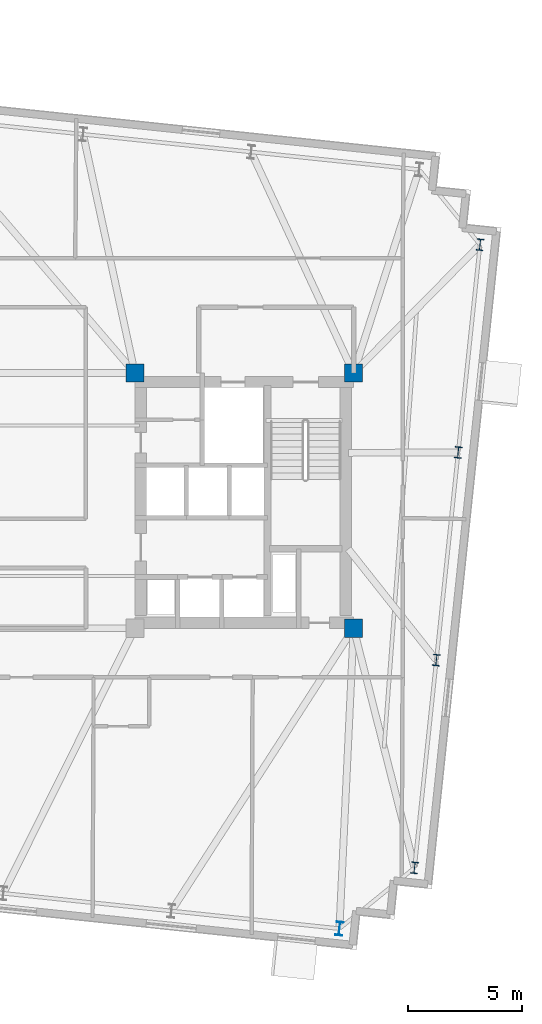
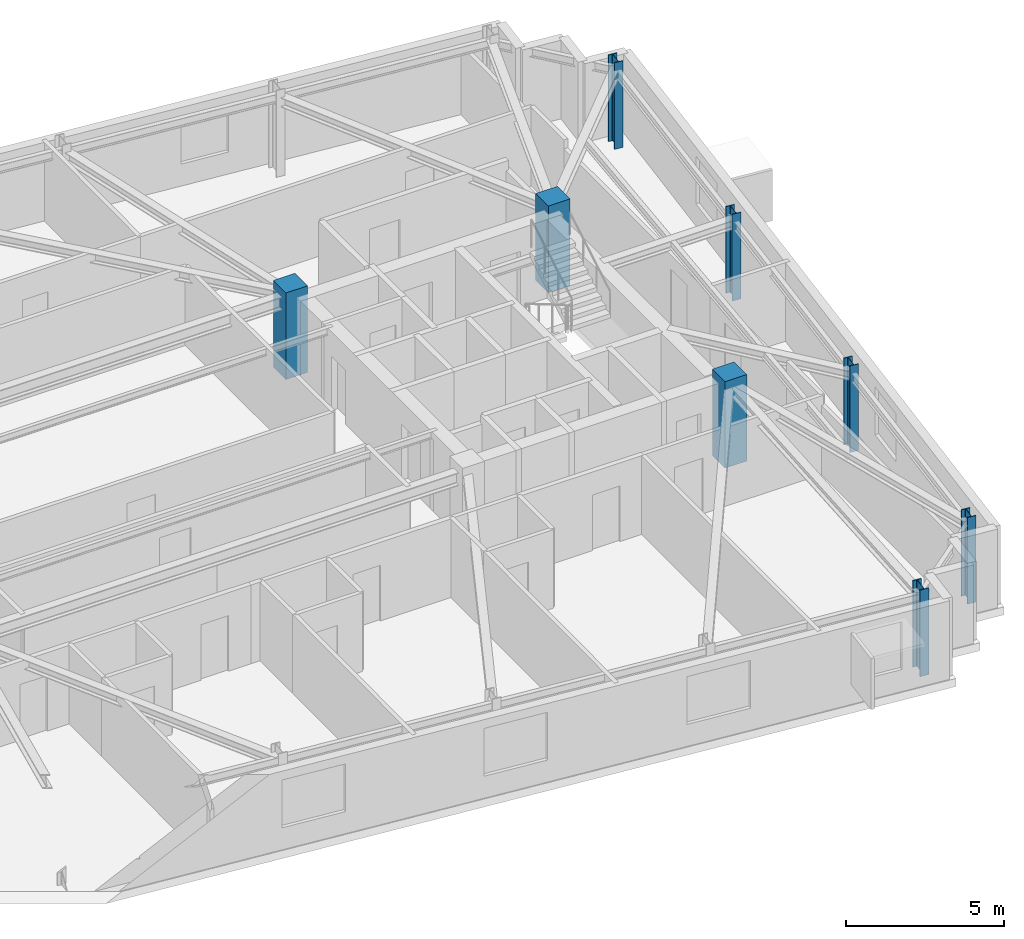
# One storey, part 2 of 11: 8 columns.
"""IFC4 building model written with IfcOpenShell, lengths in metres."""

from ifc_helpers import new_model, si_unit, direction, frame, origin, origin_2d, place, context, subcontext, project, spatial, rectangle, i_section, extrude, material, material_profile, profile_set, type_object, element, save


model = new_model("IFC4")

# Units and contexts
model_context = context("Model", 3, precision=1e-05, world=origin(), true_north=direction((0.0, 1.0)))
body_context = subcontext(model_context, "Body", "Model", "MODEL_VIEW")
ifc_project = project(units=[si_unit("LENGTHUNIT", "METRE"), si_unit("AREAUNIT", "SQUARE_METRE"), si_unit("VOLUMEUNIT", "CUBIC_METRE"), si_unit("PLANEANGLEUNIT", "RADIAN"), si_unit("MASSUNIT", "GRAM", prefix="KILO")], contexts=[model_context])

# Site, building, storey
site_placement = place(None, origin())
site = spatial("IfcSite", under=ifc_project, at=site_placement, CompositionType="ELEMENT")
building_placement = place(site_placement, origin())
building = spatial("IfcBuilding", under=site, at=building_placement, Name="Qobustan Lattice House", CompositionType="ELEMENT")
storey_placement = place(building_placement, frame((0.0, 0.0, 213.14990234375)))
storey = spatial("IfcBuildingStorey", under=building, at=storey_placement, Name="L60", CompositionType="ELEMENT", Elevation=213.14990234375)

# Columns
ifc_material_1 = material(Name="Concrete C50/60", Category="concrete")
ifc_material_profile_1 = material_profile(ifc_material_1, rectangle(XDim=0.800048828125, YDim=0.800048828125, at=origin_2d()), Name="RC800x800")
ifc_profile_set_1 = profile_set([ifc_material_profile_1], Name="Concrete C50/60")
column_type_1 = type_object("IfcColumnType", Name="COL-RC-800", PredefinedType="COLUMN", material=ifc_profile_set_1)
for number, where, z_axis, x_axis, name in (
    (1, (9.199951171875, 5.60009765625, 0.0), (0.0, 0.0, 1.0), (1.0, 0.0, 0.0), "L60 core mega-column CE-NW"),
    (2, (18.800048828125, -5.60009765625, 0.0), (0.0, 0.0, 1.0), (1.0, 0.0, 0.0), "L60 core mega-column CE-SE"),
    (3, (18.800048828125, 5.60009765625, 0.0), (0.0, 0.0, 1.0), (1.0, 0.0, 0.0), "L60 core mega-column CE-NE"),
):
    element("IfcColumn", number, at=place(storey_placement, frame(where, z_axis=z_axis, x_axis=x_axis)), inside=storey, type_object=column_type_1, Name=name, PredefinedType="COLUMN", context=body_context, shape_type="SweptSolid", body=[
        extrude(rectangle(XDim=0.800048828125, YDim=0.800048828125, at=origin_2d()), origin(), (0.0, 0.0, 1.0), 3.35009765625),
    ])
ifc_material_2 = material(Name="Steel S355", Category="steel")
ifc_material_profile_2 = material_profile(ifc_material_2, i_section(OverallWidth=0.300048828125, OverallDepth=0.5, WebThickness=0.014404296875, FlangeThickness=0.028076171875, FilletRadius=0.027099609375, at=origin_2d()), Name="HEB500")
ifc_profile_set_2 = profile_set([ifc_material_profile_2], Name="Steel S355")
column_type_2 = type_object("IfcColumnType", Name="COL-ST-HEB500", PredefinedType="COLUMN", material=ifc_profile_set_2)
for number, where, z_axis, x_axis, name in (
    (4, (21.474365234375, -16.114013671875, 0.0), (0.0, 0.0, 1.0), (0.994521895368, -0.104528463268, 0.0), "L60 B4 perimeter column E1"),
    (5, (22.4326171875, -6.99755859375, 0.0), (0.0, 0.0, 1.0), (0.994521895368, -0.104528463268, 0.0), "L60 B4 perimeter column E2"),
    (6, (23.390869140625, 2.118896484375, 0.0), (0.0, 0.0, 1.0), (0.994521895368, -0.104528463268, 0.0), "L60 B4 perimeter column E3"),
    (7, (24.348876953125, 11.2353515625, 0.0), (0.0, 0.0, 1.0), (0.994521895368, -0.104528463268, 0.0), "L60 B4 perimeter column E4"),
):
    element("IfcColumn", number, at=place(storey_placement, frame(where, z_axis=z_axis, x_axis=x_axis)), inside=storey, type_object=column_type_2, Name=name, PredefinedType="COLUMN", context=body_context, shape_type="SweptSolid", body=[
        extrude(i_section(OverallWidth=0.300048828125, OverallDepth=0.5, WebThickness=0.014404296875, FlangeThickness=0.028076171875, FilletRadius=0.027099609375, at=origin_2d()), origin(), (0.0, 0.0, 1.0), 3.35009765625),
    ])
ifc_material_3 = material(Name="Steel S355", Category="steel")
ifc_material_profile_3 = material_profile(ifc_material_3, i_section(OverallWidth=0.300048828125, OverallDepth=0.60009765625, WebThickness=0.015380859375, FlangeThickness=0.030029296875, FilletRadius=0.027099609375, at=origin_2d()), Name="HEB600")
ifc_profile_set_3 = profile_set([ifc_material_profile_3], Name="Steel S355")
column_type_3 = type_object("IfcColumnType", Name="COL-ST-HEB600", PredefinedType="COLUMN", material=ifc_profile_set_3)
column_placement = place(storey_placement, frame((18.17724609375, -18.783935546875, 0.0), z_axis=(0.0, 0.0, 1.0), x_axis=(0.994521895368, -0.104528463268, 0.0)))
element("IfcColumn", 8, at=column_placement, inside=storey, type_object=column_type_3, Name="L60 B4 perimeter column S7", PredefinedType="COLUMN", context=body_context, shape_type="SweptSolid", body=[
    extrude(i_section(OverallWidth=0.300048828125, OverallDepth=0.60009765625, WebThickness=0.015380859375, FlangeThickness=0.030029296875, FilletRadius=0.027099609375, at=origin_2d()), origin(), (0.0, 0.0, 1.0), 3.35009765625),
])

save(model, "model.ifc")
